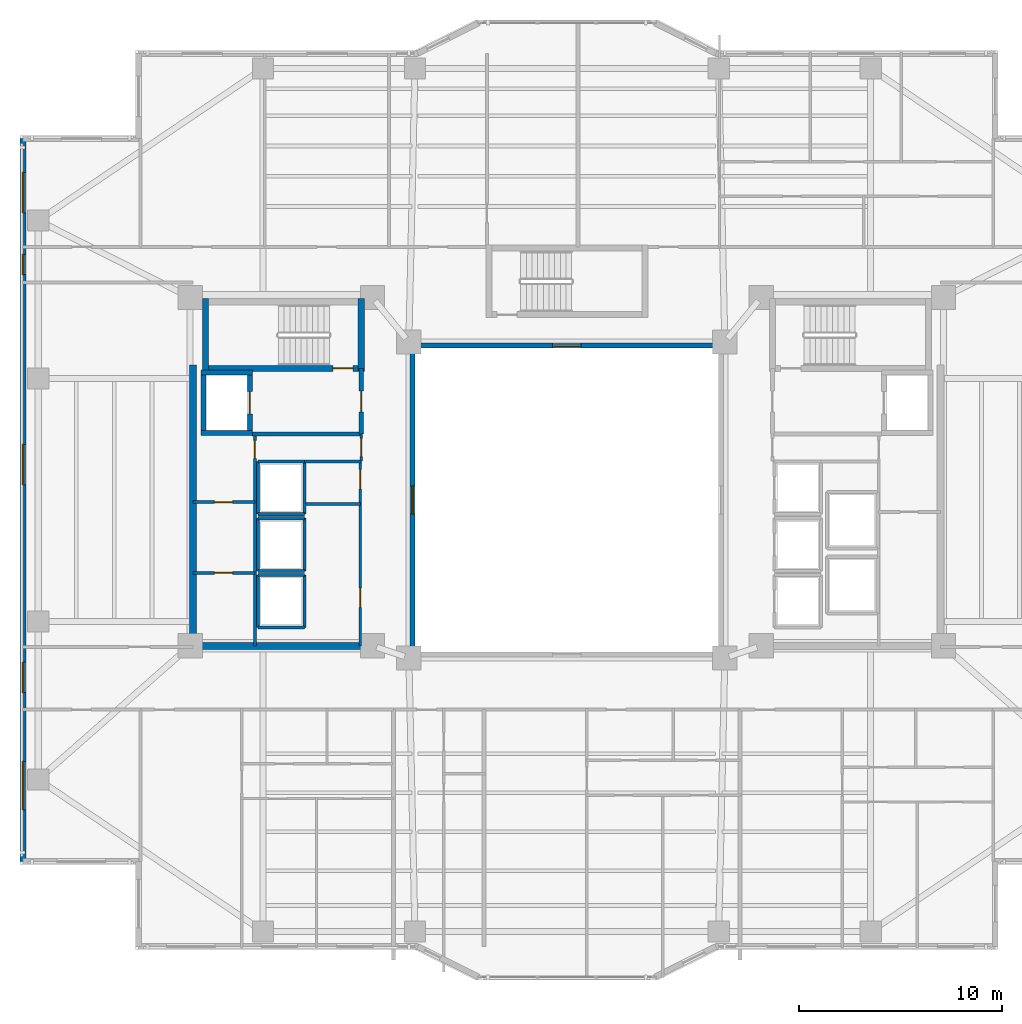
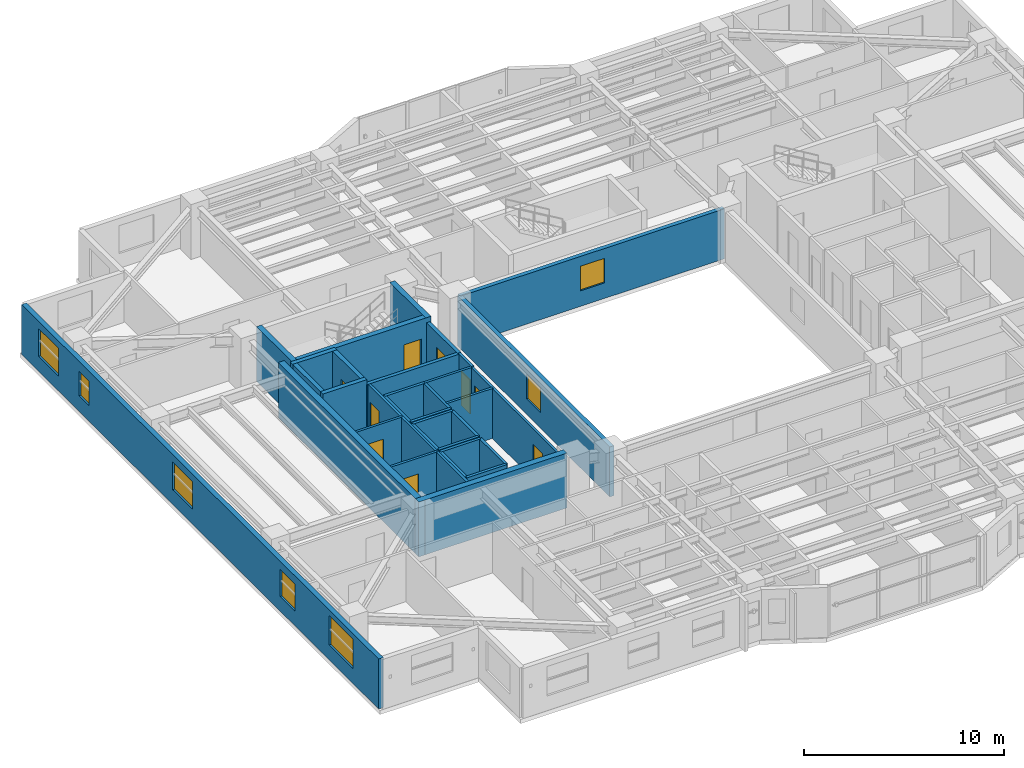
# One storey, part 7 of 18: 33 walls, 9 doors, 7 windows, 16 openings.
"""IFC4 building model written with IfcOpenShell, lengths in metres."""

from ifc_helpers import new_model, si_unit, direction, frame, frame_2d, origin, place, context, subcontext, project, spatial, rectangle, extrude, material, layer, layer_set, type_object, element, fill, save


model = new_model("IFC4")

# Units and contexts
model_context = context("Model", 3, precision=1e-05, world=origin(), true_north=direction((0.0, 1.0)))
body_context = subcontext(model_context, "Body", "Model", "MODEL_VIEW")
ifc_project = project(units=[si_unit("LENGTHUNIT", "METRE"), si_unit("AREAUNIT", "SQUARE_METRE"), si_unit("VOLUMEUNIT", "CUBIC_METRE"), si_unit("PLANEANGLEUNIT", "RADIAN"), si_unit("MASSUNIT", "GRAM", prefix="KILO")], contexts=[model_context])

# Site, building, storey
site_placement = place(None, origin())
site = spatial("IfcSite", under=ifc_project, at=site_placement, CompositionType="ELEMENT")
building_placement = place(site_placement, origin())
building = spatial("IfcBuilding", under=site, at=building_placement, Name="Tarnavaz Court Tower", CompositionType="ELEMENT")
storey_placement = place(building_placement, frame((0.0, 0.0, 115.14990234375)))
storey = spatial("IfcBuildingStorey", under=building, at=storey_placement, Name="L31", CompositionType="ELEMENT", Elevation=115.14990234375)

# Wall
ifc_material_1 = material(Name="Concrete C60/75", Category="concrete")
ifc_layer_1 = layer(ifc_material_1, 0.25)
ifc_layer_set_1 = layer_set([ifc_layer_1], Name="Concrete C60/75")
wall_type_1 = type_object("IfcWallType", Name="WL-CORE-250-C60", PredefinedType="SHEAR", material=ifc_layer_set_1)
wall_1_placement = place(storey_placement, frame((-17.949951171875, 3.175048828125, 0.0), z_axis=(0.0, 0.0, 1.0), x_axis=(0.0, 1.0, 0.0)))
element("IfcWall", 1, at=wall_1_placement, inside=storey, type_object=wall_type_1, Name="L31 Lift FL-W1 Shaft Wall 017", PredefinedType="SHEAR", context=body_context, shape_type="SweptSolid", body=[
    extrude(rectangle(XDim=3.25, YDim=0.25, at=frame_2d((1.625, 0.0))), origin(), (0.0, 0.0, 1.0), 3.35009765625),
])

# Wall, opening, door
wall_2_placement = place(storey_placement, frame((-15.64990234375, 3.175048828125, 0.0), z_axis=(0.0, 0.0, 1.0), x_axis=(0.0, 1.0, 0.0)))
wall_2 = element("IfcWall", 2, at=wall_2_placement, inside=storey, type_object=wall_type_1, Name="L31 Lift FL-W1 Shaft Wall 018", PredefinedType="SHEAR", context=body_context, shape_type="SweptSolid", body=[
    extrude(rectangle(XDim=3.25, YDim=0.25, at=frame_2d((1.625, 0.0))), origin(), (0.0, 0.0, 1.0), 3.35009765625),
])
opening_1_placement = place(wall_2_placement, frame((1.074951171875, 0.0, 0.0)))
opening_1 = element("IfcOpeningElement", 3, at=opening_1_placement, cuts=wall_2, Name="Opening LD1", PredefinedType="OPENING", context=body_context, shape_type="SweptSolid", body=[
    extrude(rectangle(XDim=1.10009765625, YDim=2.14990234375, at=frame_2d((0.550048828125, 1.074951171875))), frame((0.0, 0.135009765625, 0.0), z_axis=(0.0, -1.0, 0.0), x_axis=(1.0, 0.0, 0.0)), (0.0, 0.0, 1.0), 0.27001953125),
])
ifc_material_2 = material(Name="Stainless Steel", Category="steel")
door_type_1 = type_object("IfcDoorType", Name="DR-LD-1100", OperationType="NOTDEFINED", PredefinedType="DOOR", material=ifc_material_2)
door_1_placement = place(opening_1_placement, origin())
door_1 = element("IfcDoor", 4, at=door_1_placement, inside=storey, type_object=door_type_1, Name="L31 Lift Landing Door LD-FL-W1", OperationType="SLIDING_TO_LEFT", OverallHeight=2.14990234375, OverallWidth=1.10009765625, PredefinedType="DOOR", context=body_context, shape_type="SweptSolid", body=[
    extrude(rectangle(XDim=1.10009765625, YDim=2.14990234375, at=frame_2d((0.550048828125, 1.074951171875))), frame((0.0, 0.02490234375, 0.0), z_axis=(0.0, -1.0, 0.0), x_axis=(1.0, 0.0, 0.0)), (0.0, 0.0, 1.0), 0.050048828125),
])
fill(opening_1, door_1)

# Walls
for number, where, z_axis, x_axis, name in (
    (5, (-18.074951171875, 3.300048828125, 0.0), (0.0, 0.0, 1.0), (1.0, 0.0, 0.0), "L31 Lift FL-W1 Shaft Wall 019"),
    (6, (-18.074951171875, 6.300048828125, 0.0), (0.0, 0.0, 1.0), (1.0, 0.0, 0.0), "L31 Lift FL-W1 Shaft Wall 020"),
):
    element("IfcWall", number, at=place(storey_placement, frame(where, z_axis=z_axis, x_axis=x_axis)), inside=storey, type_object=wall_type_1, Name=name, PredefinedType="SHEAR", context=body_context, shape_type="SweptSolid", body=[
        extrude(rectangle(XDim=2.550048828125, YDim=0.25, at=frame_2d((1.27490234375, 0.0))), origin(), (0.0, 0.0, 1.0), 3.35009765625),
    ])

# Wall, opening, door
ifc_layer_2 = layer(ifc_material_1, 0.300048828125)
ifc_layer_set_2 = layer_set([ifc_layer_2], Name="Concrete C60/75")
wall_type_2 = type_object("IfcWallType", Name="WL-CORE-300-C60", PredefinedType="SHEAR", material=ifc_layer_set_2)
wall_3_placement = place(storey_placement, frame((-18.0, 6.5, 0.0), z_axis=(0.0, 0.0, 1.0), x_axis=(1.0, 0.0, 0.0)))
wall_3 = element("IfcWall", 7, at=wall_3_placement, inside=storey, type_object=wall_type_2, Name="L31 West Stair Core Wall 002", PredefinedType="SHEAR", context=body_context, shape_type="SweptSolid", body=[
    extrude(rectangle(XDim=8.0, YDim=0.300048828125, at=frame_2d((4.0, 0.0))), origin(), (0.0, 0.0, 1.0), 3.35009765625),
])
opening_2_placement = place(wall_3_placement, frame((6.449951171875, 0.0, 0.0)))
opening_2 = element("IfcOpeningElement", 8, at=opening_2_placement, cuts=wall_3, Name="Opening D01", PredefinedType="OPENING", context=body_context, shape_type="SweptSolid", body=[
    extrude(rectangle(XDim=1.0, YDim=2.14990234375, at=frame_2d((0.5, 1.074951171875))), frame((0.0, 0.159912109375, 0.0), z_axis=(0.0, -1.0, 0.0), x_axis=(1.0, 0.0, 0.0)), (0.0, 0.0, 1.0), 0.320068359375),
])
ifc_material_3 = material(Name="Fire-Rated Hardwood Timber Core", Category="wood")
door_type_2 = type_object("IfcDoorType", Name="DR-FD90-1000", OperationType="NOTDEFINED", PredefinedType="DOOR", material=ifc_material_3)
door_2_placement = place(opening_2_placement, origin())
door_2 = element("IfcDoor", 9, at=door_2_placement, inside=storey, type_object=door_type_2, Name="L31 Stair ST-W1 Exit Door", OperationType="SINGLE_SWING_LEFT", OverallHeight=2.14990234375, OverallWidth=1.0, PredefinedType="DOOR", context=body_context, shape_type="SweptSolid", body=[
    extrude(rectangle(XDim=1.0, YDim=2.14990234375, at=frame_2d((0.5, 1.074951171875))), frame((0.0, 0.02490234375, 0.0), z_axis=(0.0, -1.0, 0.0), x_axis=(1.0, 0.0, 0.0)), (0.0, 0.0, 1.0), 0.050048828125),
])
fill(opening_2, door_2)

# Walls
for number, where, z_axis, x_axis, name in (
    (10, (-17.85009765625, 6.35009765625, 0.0), (0.0, 0.0, 1.0), (0.0, 1.0, 0.0), "L31 West Stair Core Wall 003"),
    (11, (-10.14990234375, 6.35009765625, 0.0), (0.0, 0.0, 1.0), (0.0, 1.0, 0.0), "L31 West Stair Core Wall 004"),
):
    element("IfcWall", number, at=place(storey_placement, frame(where, z_axis=z_axis, x_axis=x_axis)), inside=storey, type_object=wall_type_2, Name=name, PredefinedType="SHEAR", context=body_context, shape_type="SweptSolid", body=[
        extrude(rectangle(XDim=3.58984375, YDim=0.300048828125, at=frame_2d((1.794921875, 0.0))), origin(), (0.0, 0.0, 1.0), 3.35009765625),
    ])
ifc_layer_3 = layer(ifc_material_1, 0.35009765625)
ifc_layer_set_3 = layer_set([ifc_layer_3], Name="Concrete C60/75")
wall_type_3 = type_object("IfcWallType", Name="WL-CORE-350-C60", PredefinedType="SHEAR", material=ifc_layer_set_3)
wall_4_placement = place(storey_placement, frame((-18.449951171875, -7.375, 0.0), z_axis=(0.0, 0.0, 1.0), x_axis=(0.0, 1.0, 0.0)))
element("IfcWall", 12, at=wall_4_placement, inside=storey, type_object=wall_type_3, Name="L31 West Core Shear Wall 057", PredefinedType="SHEAR", context=body_context, shape_type="SweptSolid", body=[
    extrude(rectangle(XDim=14.050048828125, YDim=0.35009765625, at=frame_2d((7.02490234375, 0.0))), origin(), (0.0, 0.0, 1.0), 3.35009765625),
])
wall_5_placement = place(storey_placement, frame((-18.625, -7.199951171875, 0.0), z_axis=(0.0, 0.0, 1.0), x_axis=(1.0, 0.0, 0.0)))
element("IfcWall", 13, at=wall_5_placement, inside=storey, type_object=wall_type_3, Name="L31 West Core South Shear Wall 058", PredefinedType="SHEAR", context=body_context, shape_type="SweptSolid", body=[
    extrude(rectangle(XDim=8.550048828125, YDim=0.35009765625, at=frame_2d((4.27490234375, 0.0))), origin(), (0.0, 0.0, 1.0), 3.35009765625),
])

# Wall, openings, windows
ifc_material_4 = material(Name="Precast Concrete C40/50", Category="concrete")
ifc_layer_4 = layer(ifc_material_4, 0.280029296875)
ifc_layer_set_4 = layer_set([ifc_layer_4], Name="Precast Concrete C40/50")
wall_type_4 = type_object("IfcWallType", Name="WL-EXT-280", PredefinedType="SOLIDWALL", material=ifc_layer_set_4)
wall_6_placement = place(storey_placement, frame((-26.85009765625, -17.85009765625, 0.0), z_axis=(0.0, 0.0, 1.0), x_axis=(0.0, 1.0, 0.0)))
wall_6 = element("IfcWall", 14, at=wall_6_placement, inside=storey, type_object=wall_type_4, Name="L31 Exterior Terracotta Facade Wall 02", PredefinedType="SOLIDWALL", context=body_context, shape_type="SweptSolid", body=[
    extrude(rectangle(XDim=35.7001953125, YDim=0.280029296875, at=frame_2d((17.85009765625, 0.0))), origin(), (0.0, 0.0, 1.0), 3.050048828125),
])
opening_3_placement = place(wall_6_placement, frame((2.550048828125, 0.0, 0.89990234375)))
opening_3 = element("IfcOpeningElement", 15, at=opening_3_placement, cuts=wall_6, Name="Opening W06", PredefinedType="OPENING", context=body_context, shape_type="SweptSolid", body=[
    extrude(rectangle(XDim=2.39990234375, YDim=1.800048828125, at=frame_2d((1.199951171875, 0.89990234375))), frame((0.0, 0.14990234375, 0.0), z_axis=(0.0, -1.0, 0.0), x_axis=(1.0, 0.0, 0.0)), (0.0, 0.0, 1.0), 0.300048828125),
])
opening_4_placement = place(wall_6_placement, frame((8.342529296875, 0.0, 0.89990234375)))
opening_4 = element("IfcOpeningElement", 16, at=opening_4_placement, cuts=wall_6, Name="Opening W03", PredefinedType="OPENING", context=body_context, shape_type="SweptSolid", body=[
    extrude(rectangle(XDim=1.5, YDim=1.64990234375, at=frame_2d((0.75, 0.824951171875))), frame((0.0, 0.14990234375, 0.0), z_axis=(0.0, -1.0, 0.0), x_axis=(1.0, 0.0, 0.0)), (0.0, 0.0, 1.0), 0.300048828125),
])
opening_5_placement = place(wall_6_placement, frame((18.60009765625, 0.0, 0.89990234375)))
opening_5 = element("IfcOpeningElement", 17, at=opening_5_placement, cuts=wall_6, Name="Opening W08", PredefinedType="OPENING", context=body_context, shape_type="SweptSolid", body=[
    extrude(rectangle(XDim=2.0, YDim=1.699951171875, at=frame_2d((1.0, 0.85009765625))), frame((0.0, 0.14990234375, 0.0), z_axis=(0.0, -1.0, 0.0), x_axis=(1.0, 0.0, 0.0)), (0.0, 0.0, 1.0), 0.300048828125),
])
opening_6_placement = place(wall_6_placement, frame((28.97509765625, 0.0, 0.949951171875)))
opening_6 = element("IfcOpeningElement", 18, at=opening_6_placement, cuts=wall_6, Name="Opening W14", PredefinedType="OPENING", context=body_context, shape_type="SweptSolid", body=[
    extrude(rectangle(XDim=1.0, YDim=1.5, at=frame_2d((0.5, 0.75))), frame((0.0, 0.14990234375, 0.0), z_axis=(0.0, -1.0, 0.0), x_axis=(1.0, 0.0, 0.0)), (0.0, 0.0, 1.0), 0.300048828125),
])
opening_7_placement = place(wall_6_placement, frame((32.02490234375, 0.0, 0.89990234375)))
opening_7 = element("IfcOpeningElement", 19, at=opening_7_placement, cuts=wall_6, Name="Opening W08", PredefinedType="OPENING", context=body_context, shape_type="SweptSolid", body=[
    extrude(rectangle(XDim=2.0, YDim=1.699951171875, at=frame_2d((1.0, 0.85009765625))), frame((0.0, 0.14990234375, 0.0), z_axis=(0.0, -1.0, 0.0), x_axis=(1.0, 0.0, 0.0)), (0.0, 0.0, 1.0), 0.300048828125),
])
ifc_material_5 = material(Name="Double-Glazed Solar Low-E Glass", Category="glass")
window_type_1 = type_object("IfcWindowType", Name="WN-APT-1000", PartitioningType="SINGLE_PANEL", PredefinedType="WINDOW", material=ifc_material_5)
window_1_placement = place(opening_6_placement, origin())
window_1 = element("IfcWindow", 20, at=window_1_placement, inside=storey, type_object=window_type_1, Name="L31 North-West Corner Corridor Window", OverallHeight=1.5, OverallWidth=1.0, PartitioningType="SINGLE_PANEL", PredefinedType="WINDOW", context=body_context, shape_type="SweptSolid", body=[
    extrude(rectangle(XDim=1.0, YDim=1.5, at=frame_2d((0.5, 0.75))), frame((0.0, 0.030029296875, 0.0), z_axis=(0.0, -1.0, 0.0), x_axis=(1.0, 0.0, 0.0)), (0.0, 0.0, 1.0), 0.06005859375),
])
fill(opening_6, window_1)
window_type_2 = type_object("IfcWindowType", Name="WN-APT-1500", PartitioningType="DOUBLE_PANEL_VERTICAL", PredefinedType="WINDOW", material=ifc_material_5)
window_2_placement = place(opening_4_placement, origin())
window_2 = element("IfcWindow", 21, at=window_2_placement, inside=storey, type_object=window_type_2, Name="L31 South-West Corner Corridor Window", OverallHeight=1.64990234375, OverallWidth=1.5, PartitioningType="SINGLE_PANEL", PredefinedType="WINDOW", context=body_context, shape_type="SweptSolid", body=[
    extrude(rectangle(XDim=1.5, YDim=1.64990234375, at=frame_2d((0.75, 0.824951171875))), frame((0.0, 0.030029296875, 0.0), z_axis=(0.0, -1.0, 0.0), x_axis=(1.0, 0.0, 0.0)), (0.0, 0.0, 1.0), 0.06005859375),
])
fill(opening_4, window_2)
window_type_3 = type_object("IfcWindowType", Name="WN-APT-2000", PartitioningType="DOUBLE_PANEL_VERTICAL", PredefinedType="WINDOW", material=ifc_material_5)
window_3_placement = place(opening_5_placement, origin())
window_3 = element("IfcWindow", 22, at=window_3_placement, inside=storey, type_object=window_type_3, Name="L31 West Wing Panoramic Study Gallery Window", OverallHeight=1.699951171875, OverallWidth=2.0, PartitioningType="SINGLE_PANEL", PredefinedType="WINDOW", context=body_context, shape_type="SweptSolid", body=[
    extrude(rectangle(XDim=2.0, YDim=1.699951171875, at=frame_2d((1.0, 0.85009765625))), frame((0.0, 0.030029296875, 0.0), z_axis=(0.0, -1.0, 0.0), x_axis=(1.0, 0.0, 0.0)), (0.0, 0.0, 1.0), 0.06005859375),
])
fill(opening_5, window_3)
window_4_placement = place(opening_7_placement, origin())
window_4 = element("IfcWindow", 23, at=window_4_placement, inside=storey, type_object=window_type_3, Name="L31 North-West Corner Sunroom Study Window", OverallHeight=1.699951171875, OverallWidth=2.0, PartitioningType="SINGLE_PANEL", PredefinedType="WINDOW", context=body_context, shape_type="SweptSolid", body=[
    extrude(rectangle(XDim=2.0, YDim=1.699951171875, at=frame_2d((1.0, 0.85009765625))), frame((0.0, 0.030029296875, 0.0), z_axis=(0.0, -1.0, 0.0), x_axis=(1.0, 0.0, 0.0)), (0.0, 0.0, 1.0), 0.06005859375),
])
fill(opening_7, window_4)
window_type_4 = type_object("IfcWindowType", Name="WN-APT-2400", PartitioningType="TRIPLE_PANEL_VERTICAL", PredefinedType="WINDOW", material=ifc_material_5)
window_5_placement = place(opening_3_placement, origin())
window_5 = element("IfcWindow", 24, at=window_5_placement, inside=storey, type_object=window_type_4, Name="L31 South-West Corner Reading Room Window", OverallHeight=1.800048828125, OverallWidth=2.39990234375, PartitioningType="SINGLE_PANEL", PredefinedType="WINDOW", context=body_context, shape_type="SweptSolid", body=[
    extrude(rectangle(XDim=2.39990234375, YDim=1.800048828125, at=frame_2d((1.199951171875, 0.89990234375))), frame((0.0, 0.030029296875, 0.0), z_axis=(0.0, -1.0, 0.0), x_axis=(1.0, 0.0, 0.0)), (0.0, 0.0, 1.0), 0.06005859375),
])
fill(opening_3, window_5)

# Wall
ifc_material_6 = material(Name="Autoclaved Aerated Concrete Blockwork", Category="masonry")
ifc_layer_5 = layer(ifc_material_6, 0.199951171875)
ifc_layer_set_5 = layer_set([ifc_layer_5], Name="Autoclaved Aerated Concrete Blockwork")
wall_type_5 = type_object("IfcWallType", Name="WL-FIRE-200", PredefinedType="SOLIDWALL", material=ifc_layer_set_5)
wall_7_placement = place(storey_placement, frame((-15.550048828125, 3.25, 0.0), z_axis=(0.0, 0.0, 1.0), x_axis=(1.0, 0.0, 0.0)))
element("IfcWall", 25, at=wall_7_placement, inside=storey, type_object=wall_type_5, Name="L31 West Firefighting Lobby Wall 013", PredefinedType="SOLIDWALL", context=body_context, shape_type="SweptSolid", body=[
    extrude(rectangle(XDim=5.400146484375, YDim=0.199951171875, at=frame_2d((2.7001953125, 0.0))), origin(), (0.0, 0.0, 1.0), 3.050048828125),
])

# Wall, opening, door
wall_8_placement = place(storey_placement, frame((-10.14990234375, 3.25, 0.0), z_axis=(0.0, 0.0, 1.0), x_axis=(0.0, 1.0, 0.0)))
wall_8 = element("IfcWall", 26, at=wall_8_placement, inside=storey, type_object=wall_type_5, Name="L31 West Firefighting Lobby Wall 014", PredefinedType="SOLIDWALL", context=body_context, shape_type="SweptSolid", body=[
    extrude(rectangle(XDim=3.25, YDim=0.199951171875, at=frame_2d((1.625, 0.0))), origin(), (0.0, 0.0, 1.0), 3.050048828125),
])
opening_8_placement = place(wall_8_placement, frame((1.10009765625, 0.0, 0.0)))
opening_8 = element("IfcOpeningElement", 27, at=opening_8_placement, cuts=wall_8, Name="Opening D05", PredefinedType="OPENING", context=body_context, shape_type="SweptSolid", body=[
    extrude(rectangle(XDim=1.02001953125, YDim=2.14990234375, at=frame_2d((0.510009765625, 1.074951171875))), frame((0.0, 0.10986328125, 0.0), z_axis=(0.0, -1.0, 0.0), x_axis=(1.0, 0.0, 0.0)), (0.0, 0.0, 1.0), 0.219970703125),
])
door_type_3 = type_object("IfcDoorType", Name="DR-FD60-1000", OperationType="NOTDEFINED", PredefinedType="DOOR", material=ifc_material_3)
door_3_placement = place(opening_8_placement, origin())
door_3 = element("IfcDoor", 28, at=door_3_placement, inside=storey, type_object=door_type_3, Name="L31 West Firefighting Lobby Door", OperationType="SINGLE_SWING_RIGHT", OverallHeight=2.14990234375, OverallWidth=1.02001953125, PredefinedType="DOOR", context=body_context, shape_type="SweptSolid", body=[
    extrude(rectangle(XDim=1.02001953125, YDim=2.14990234375, at=frame_2d((0.510009765625, 1.074951171875))), frame((0.0, 0.02490234375, 0.0), z_axis=(0.0, -1.0, 0.0), x_axis=(1.0, 0.0, 0.0)), (0.0, 0.0, 1.0), 0.050048828125),
])
fill(opening_8, door_3)

# Wall
ifc_material_7 = material(Name="Gypsum Plasterboard Acoustic Partition", Category="masonry")
ifc_layer_6 = layer(ifc_material_7, 0.139892578125)
ifc_layer_set_6 = layer_set([ifc_layer_6], Name="Gypsum Plasterboard Acoustic Partition")
wall_type_6 = type_object("IfcWallType", Name="WL-PART-150", PredefinedType="PARTITIONING", material=ifc_layer_set_6)
wall_9_placement = place(storey_placement, frame((-12.949951171875, 1.89990234375, 0.0), z_axis=(0.0, 0.0, 1.0), x_axis=(1.0, 0.0, 0.0)))
element("IfcWall", 29, at=wall_9_placement, inside=storey, type_object=wall_type_6, Name="L31 Interior Partition 061", PredefinedType="PARTITIONING", context=body_context, shape_type="SweptSolid", body=[
    extrude(rectangle(XDim=2.800048828125, YDim=0.139892578125, at=frame_2d((1.39990234375, 0.0))), origin(), (0.0, 0.0, 1.0), 3.050048828125),
])

# Wall, opening, door
wall_10_placement = place(storey_placement, frame((-10.14990234375, 1.919921875, 0.0), z_axis=(0.0, 0.0, 1.0), x_axis=(0.0, 1.0, 0.0)))
wall_10 = element("IfcWall", 30, at=wall_10_placement, inside=storey, type_object=wall_type_6, Name="L31 Interior Partition 062", PredefinedType="PARTITIONING", context=body_context, shape_type="SweptSolid", body=[
    extrude(rectangle(XDim=1.330078125, YDim=0.139892578125, at=frame_2d((0.6650390625, 0.0))), origin(), (0.0, 0.0, 1.0), 3.050048828125),
])
opening_9_placement = place(wall_10_placement, frame((0.219970703125, 0.0, 0.0)))
opening_9 = element("IfcOpeningElement", 31, at=opening_9_placement, cuts=wall_10, Name="Opening D09", PredefinedType="OPENING", context=body_context, shape_type="SweptSolid", body=[
    extrude(rectangle(XDim=0.89990234375, YDim=2.080078125, at=frame_2d((0.449951171875, 1.0400390625))), frame((0.0, 0.079833984375, 0.0), z_axis=(0.0, -1.0, 0.0), x_axis=(1.0, 0.0, 0.0)), (0.0, 0.0, 1.0), 0.159912109375),
])
door_type_4 = type_object("IfcDoorType", Name="DR-FD30-900", OperationType="NOTDEFINED", PredefinedType="DOOR", material=ifc_material_3)
door_4_placement = place(opening_9_placement, origin())
door_4 = element("IfcDoor", 32, at=door_4_placement, inside=storey, type_object=door_type_4, Name="L31 West Core Service Lobby Door", OperationType="SINGLE_SWING_LEFT", OverallHeight=2.080078125, OverallWidth=0.89990234375, PredefinedType="DOOR", context=body_context, shape_type="SweptSolid", body=[
    extrude(rectangle(XDim=0.89990234375, YDim=2.080078125, at=frame_2d((0.449951171875, 1.0400390625))), frame((0.0, 0.02490234375, 0.0), z_axis=(0.0, -1.0, 0.0), x_axis=(1.0, 0.0, 0.0)), (0.0, 0.0, 1.0), 0.050048828125),
])
fill(opening_9, door_4)

wall_11_placement = place(storey_placement, frame((-15.39990234375, -7.199951171875, 0.0), z_axis=(0.0, 0.0, 1.0), x_axis=(0.0, 1.0, 0.0)))
wall_11 = element("IfcWall", 33, at=wall_11_placement, inside=storey, type_object=wall_type_6, Name="L31 Interior Partition 063", PredefinedType="PARTITIONING", context=body_context, shape_type="SweptSolid", body=[
    extrude(rectangle(XDim=10.449951171875, YDim=0.139892578125, at=frame_2d((5.22509765625, 0.0))), origin(), (0.0, 0.0, 1.0), 3.050048828125),
])
opening_10_placement = place(wall_11_placement, frame((9.25, 0.0, 0.0)))
opening_10 = element("IfcOpeningElement", 34, at=opening_10_placement, cuts=wall_11, Name="Opening D09", PredefinedType="OPENING", context=body_context, shape_type="SweptSolid", body=[
    extrude(rectangle(XDim=0.89990234375, YDim=2.080078125, at=frame_2d((0.449951171875, 1.0400390625))), frame((0.0, 0.079833984375, 0.0), z_axis=(0.0, -1.0, 0.0), x_axis=(1.0, 0.0, 0.0)), (0.0, 0.0, 1.0), 0.159912109375),
])
door_5_placement = place(opening_10_placement, origin())
door_5 = element("IfcDoor", 35, at=door_5_placement, inside=storey, type_object=door_type_4, Name="L31 West ICT Comms Door", OperationType="SINGLE_SWING_RIGHT", OverallHeight=2.080078125, OverallWidth=0.89990234375, PredefinedType="DOOR", context=body_context, shape_type="SweptSolid", body=[
    extrude(rectangle(XDim=0.89990234375, YDim=2.080078125, at=frame_2d((0.449951171875, 1.0400390625))), frame((0.0, 0.02490234375, 0.0), z_axis=(0.0, -1.0, 0.0), x_axis=(1.0, 0.0, 0.0)), (0.0, 0.0, 1.0), 0.050048828125),
])
fill(opening_10, door_5)

wall_12_placement = place(storey_placement, frame((-18.449951171875, -3.60009765625, 0.0), z_axis=(0.0, 0.0, 1.0), x_axis=(1.0, 0.0, 0.0)))
wall_12 = element("IfcWall", 36, at=wall_12_placement, inside=storey, type_object=wall_type_6, Name="L31 Interior Partition 064", PredefinedType="PARTITIONING", context=body_context, shape_type="SweptSolid", body=[
    extrude(rectangle(XDim=3.050048828125, YDim=0.139892578125, at=frame_2d((1.52490234375, 0.0))), origin(), (0.0, 0.0, 1.0), 3.050048828125),
])
opening_11_placement = place(wall_12_placement, frame((1.050048828125, 0.0, 0.0)))
opening_11 = element("IfcOpeningElement", 37, at=opening_11_placement, cuts=wall_12, Name="Opening D09", PredefinedType="OPENING", context=body_context, shape_type="SweptSolid", body=[
    extrude(rectangle(XDim=0.89990234375, YDim=2.080078125, at=frame_2d((0.449951171875, 1.0400390625))), frame((0.0, 0.079833984375, 0.0), z_axis=(0.0, -1.0, 0.0), x_axis=(1.0, 0.0, 0.0)), (0.0, 0.0, 1.0), 0.159912109375),
])
door_6_placement = place(opening_11_placement, origin())
door_6 = element("IfcDoor", 38, at=door_6_placement, inside=storey, type_object=door_type_4, Name="L31 West Electrical Closet Door", OperationType="SINGLE_SWING_RIGHT", OverallHeight=2.080078125, OverallWidth=0.89990234375, PredefinedType="DOOR", context=body_context, shape_type="SweptSolid", body=[
    extrude(rectangle(XDim=0.89990234375, YDim=2.080078125, at=frame_2d((0.449951171875, 1.0400390625))), frame((0.0, 0.02490234375, 0.0), z_axis=(0.0, -1.0, 0.0), x_axis=(1.0, 0.0, 0.0)), (0.0, 0.0, 1.0), 0.050048828125),
])
fill(opening_11, door_6)

wall_13_placement = place(storey_placement, frame((-18.449951171875, -0.10009765625, 0.0), z_axis=(0.0, 0.0, 1.0), x_axis=(1.0, 0.0, 0.0)))
wall_13 = element("IfcWall", 39, at=wall_13_placement, inside=storey, type_object=wall_type_6, Name="L31 Interior Partition 065", PredefinedType="PARTITIONING", context=body_context, shape_type="SweptSolid", body=[
    extrude(rectangle(XDim=3.050048828125, YDim=0.139892578125, at=frame_2d((1.52490234375, 0.0))), origin(), (0.0, 0.0, 1.0), 3.050048828125),
])
opening_12_placement = place(wall_13_placement, frame((1.050048828125, 0.0, 0.0)))
opening_12 = element("IfcOpeningElement", 40, at=opening_12_placement, cuts=wall_13, Name="Opening D09", PredefinedType="OPENING", context=body_context, shape_type="SweptSolid", body=[
    extrude(rectangle(XDim=0.89990234375, YDim=2.080078125, at=frame_2d((0.449951171875, 1.0400390625))), frame((0.0, 0.079833984375, 0.0), z_axis=(0.0, -1.0, 0.0), x_axis=(1.0, 0.0, 0.0)), (0.0, 0.0, 1.0), 0.159912109375),
])
door_7_placement = place(opening_12_placement, origin())
door_7 = element("IfcDoor", 41, at=door_7_placement, inside=storey, type_object=door_type_4, Name="L31 West Chilled-Water Riser Door", OperationType="SINGLE_SWING_LEFT", OverallHeight=2.080078125, OverallWidth=0.89990234375, PredefinedType="DOOR", context=body_context, shape_type="SweptSolid", body=[
    extrude(rectangle(XDim=0.89990234375, YDim=2.080078125, at=frame_2d((0.449951171875, 1.0400390625))), frame((0.0, 0.02490234375, 0.0), z_axis=(0.0, -1.0, 0.0), x_axis=(1.0, 0.0, 0.0)), (0.0, 0.0, 1.0), 0.050048828125),
])
fill(opening_12, door_7)

# Wall, openings, doors
wall_14_placement = place(storey_placement, frame((-10.199951171875, -7.199951171875, 0.0), z_axis=(0.0, 0.0, 1.0), x_axis=(0.0, 1.0, 0.0)))
wall_14 = element("IfcWall", 42, at=wall_14_placement, inside=storey, type_object=wall_type_6, Name="L31 West Reclaimed Core Wall 066", PredefinedType="PARTITIONING", context=body_context, shape_type="SweptSolid", body=[
    extrude(rectangle(XDim=9.119873046875, YDim=0.139892578125, at=frame_2d((4.56005859375, 0.0))), origin(), (0.0, 0.0, 1.0), 3.050048828125),
])
opening_13_placement = place(wall_14_placement, frame((1.89990234375, 0.0, 0.0)))
opening_13 = element("IfcOpeningElement", 43, at=opening_13_placement, cuts=wall_14, Name="Opening D08", PredefinedType="OPENING", context=body_context, shape_type="SweptSolid", body=[
    extrude(rectangle(XDim=0.949951171875, YDim=2.1201171875, at=frame_2d((0.47509765625, 1.06005859375))), frame((0.0, 0.079833984375, 0.0), z_axis=(0.0, -1.0, 0.0), x_axis=(1.0, 0.0, 0.0)), (0.0, 0.0, 1.0), 0.159912109375),
])
opening_14_placement = place(wall_14_placement, frame((7.75, 0.0, 0.0)))
opening_14 = element("IfcOpeningElement", 44, at=opening_14_placement, cuts=wall_14, Name="Opening D08", PredefinedType="OPENING", context=body_context, shape_type="SweptSolid", body=[
    extrude(rectangle(XDim=0.949951171875, YDim=2.1201171875, at=frame_2d((0.47509765625, 1.06005859375))), frame((0.0, 0.079833984375, 0.0), z_axis=(0.0, -1.0, 0.0), x_axis=(1.0, 0.0, 0.0)), (0.0, 0.0, 1.0), 0.159912109375),
])
door_type_5 = type_object("IfcDoorType", Name="DR-FD30-950", OperationType="NOTDEFINED", PredefinedType="DOOR", material=ifc_material_3)
door_8_placement = place(opening_13_placement, origin())
door_8 = element("IfcDoor", 45, at=door_8_placement, inside=storey, type_object=door_type_5, Name="L31 West Study Room Door", OperationType="SINGLE_SWING_LEFT", OverallHeight=2.1201171875, OverallWidth=0.949951171875, PredefinedType="DOOR", context=body_context, shape_type="SweptSolid", body=[
    extrude(rectangle(XDim=0.949951171875, YDim=2.1201171875, at=frame_2d((0.47509765625, 1.06005859375))), frame((0.0, 0.02490234375, 0.0), z_axis=(0.0, -1.0, 0.0), x_axis=(1.0, 0.0, 0.0)), (0.0, 0.0, 1.0), 0.050048828125),
])
fill(opening_13, door_8)
door_9_placement = place(opening_14_placement, origin())
door_9 = element("IfcDoor", 46, at=door_9_placement, inside=storey, type_object=door_type_5, Name="L31 West Laundry Room Door", OperationType="SINGLE_SWING_RIGHT", OverallHeight=2.1201171875, OverallWidth=0.949951171875, PredefinedType="DOOR", context=body_context, shape_type="SweptSolid", body=[
    extrude(rectangle(XDim=0.949951171875, YDim=2.1201171875, at=frame_2d((0.47509765625, 1.06005859375))), frame((0.0, 0.02490234375, 0.0), z_axis=(0.0, -1.0, 0.0), x_axis=(1.0, 0.0, 0.0)), (0.0, 0.0, 1.0), 0.050048828125),
])
fill(opening_14, door_9)

# Walls
wall_15_placement = place(storey_placement, frame((-12.89990234375, -0.199951171875, 0.0), z_axis=(0.0, 0.0, 1.0), x_axis=(1.0, 0.0, 0.0)))
element("IfcWall", 47, at=wall_15_placement, inside=storey, type_object=wall_type_6, Name="L31 Interior Partition 067", PredefinedType="PARTITIONING", context=body_context, shape_type="SweptSolid", body=[
    extrude(rectangle(XDim=2.699951171875, YDim=0.139892578125, at=frame_2d((1.35009765625, 0.0))), origin(), (0.0, 0.0, 1.0), 3.050048828125),
])
ifc_layer_7 = layer(ifc_material_6, 0.159912109375)
ifc_layer_set_7 = layer_set([ifc_layer_7], Name="Autoclaved Aerated Concrete Blockwork")
wall_type_7 = type_object("IfcWallType", Name="WL-SHAFT-150", PredefinedType="SOLIDWALL", material=ifc_layer_set_7)
for number, where, z_axis, x_axis, name in (
    (48, (-15.25, -6.300048828125, 0.0), (0.0, 0.0, 1.0), (0.0, 1.0, 0.0), "L31 Lift PL-H1 Shaft Wall 021"),
    (49, (-12.949951171875, -6.300048828125, 0.0), (0.0, 0.0, 1.0), (0.0, 1.0, 0.0), "L31 Lift PL-H1 Shaft Wall 022"),
):
    element("IfcWall", number, at=place(storey_placement, frame(where, z_axis=z_axis, x_axis=x_axis)), inside=storey, type_object=wall_type_7, Name=name, PredefinedType="SOLIDWALL", context=body_context, shape_type="SweptSolid", body=[
        extrude(rectangle(XDim=2.60009765625, YDim=0.159912109375, at=frame_2d((1.300048828125, 0.0))), origin(), (0.0, 0.0, 1.0), 3.050048828125),
    ])
for number, where, z_axis, x_axis, name in (
    (50, (-15.25, -6.300048828125, 0.0), (0.0, 0.0, 1.0), (1.0, 0.0, 0.0), "L31 Lift PL-H1 Shaft Wall 023"),
    (51, (-15.25, -3.699951171875, 0.0), (0.0, 0.0, 1.0), (1.0, 0.0, 0.0), "L31 Lift PL-H1 Shaft Wall 024"),
):
    element("IfcWall", number, at=place(storey_placement, frame(where, z_axis=z_axis, x_axis=x_axis)), inside=storey, type_object=wall_type_7, Name=name, PredefinedType="SOLIDWALL", context=body_context, shape_type="SweptSolid", body=[
        extrude(rectangle(XDim=2.300048828125, YDim=0.159912109375, at=frame_2d((1.14990234375, 0.0))), origin(), (0.0, 0.0, 1.0), 3.050048828125),
    ])
for number, where, z_axis, x_axis, name in (
    (52, (-15.25, -3.5, 0.0), (0.0, 0.0, 1.0), (0.0, 1.0, 0.0), "L31 Lift PL-H2 Shaft Wall 025"),
    (53, (-12.949951171875, -3.5, 0.0), (0.0, 0.0, 1.0), (0.0, 1.0, 0.0), "L31 Lift PL-H2 Shaft Wall 026"),
):
    element("IfcWall", number, at=place(storey_placement, frame(where, z_axis=z_axis, x_axis=x_axis)), inside=storey, type_object=wall_type_7, Name=name, PredefinedType="SOLIDWALL", context=body_context, shape_type="SweptSolid", body=[
        extrude(rectangle(XDim=2.60009765625, YDim=0.159912109375, at=frame_2d((1.300048828125, 0.0))), origin(), (0.0, 0.0, 1.0), 3.050048828125),
    ])
for number, where, z_axis, x_axis, name in (
    (54, (-15.25, -3.5, 0.0), (0.0, 0.0, 1.0), (1.0, 0.0, 0.0), "L31 Lift PL-H2 Shaft Wall 027"),
    (55, (-15.25, -0.89990234375, 0.0), (0.0, 0.0, 1.0), (1.0, 0.0, 0.0), "L31 Lift PL-H2 Shaft Wall 028"),
):
    element("IfcWall", number, at=place(storey_placement, frame(where, z_axis=z_axis, x_axis=x_axis)), inside=storey, type_object=wall_type_7, Name=name, PredefinedType="SOLIDWALL", context=body_context, shape_type="SweptSolid", body=[
        extrude(rectangle(XDim=2.300048828125, YDim=0.159912109375, at=frame_2d((1.14990234375, 0.0))), origin(), (0.0, 0.0, 1.0), 3.050048828125),
    ])
for number, where, z_axis, x_axis, name in (
    (56, (-15.25, -0.699951171875, 0.0), (0.0, 0.0, 1.0), (0.0, 1.0, 0.0), "L31 Lift PL-H3 Shaft Wall 029"),
    (57, (-12.949951171875, -0.699951171875, 0.0), (0.0, 0.0, 1.0), (0.0, 1.0, 0.0), "L31 Lift PL-H3 Shaft Wall 030"),
):
    element("IfcWall", number, at=place(storey_placement, frame(where, z_axis=z_axis, x_axis=x_axis)), inside=storey, type_object=wall_type_7, Name=name, PredefinedType="SOLIDWALL", context=body_context, shape_type="SweptSolid", body=[
        extrude(rectangle(XDim=2.599853515625, YDim=0.159912109375, at=frame_2d((1.2998046875, 0.0))), origin(), (0.0, 0.0, 1.0), 3.050048828125),
    ])
for number, where, z_axis, x_axis, name in (
    (58, (-15.25, -0.699951171875, 0.0), (0.0, 0.0, 1.0), (1.0, 0.0, 0.0), "L31 Lift PL-H3 Shaft Wall 031"),
    (59, (-15.25, 1.89990234375, 0.0), (0.0, 0.0, 1.0), (1.0, 0.0, 0.0), "L31 Lift PL-H3 Shaft Wall 032"),
):
    element("IfcWall", number, at=place(storey_placement, frame(where, z_axis=z_axis, x_axis=x_axis)), inside=storey, type_object=wall_type_7, Name=name, PredefinedType="SOLIDWALL", context=body_context, shape_type="SweptSolid", body=[
        extrude(rectangle(XDim=2.300048828125, YDim=0.159912109375, at=frame_2d((1.14990234375, 0.0))), origin(), (0.0, 0.0, 1.0), 3.050048828125),
    ])

# Wall, opening, window
ifc_layer_8 = layer(ifc_material_4, 0.239990234375)
ifc_layer_set_8 = layer_set([ifc_layer_8], Name="Precast Concrete C40/50")
wall_type_8 = type_object("IfcWallType", Name="WL-WELL-240", PredefinedType="SOLIDWALL", material=ifc_layer_set_8)
wall_16_placement = place(storey_placement, frame((7.6201171875, 7.6201171875, 0.0), z_axis=(0.0, 0.0, 1.0), x_axis=(-1.0, 0.0, 0.0)))
wall_16 = element("IfcWall", 60, at=wall_16_placement, inside=storey, type_object=wall_type_8, Name="L31 Badgir Light-Well Exterior Wall N", PredefinedType="SOLIDWALL", context=body_context, shape_type="SweptSolid", body=[
    extrude(rectangle(XDim=15.240234375, YDim=0.239990234375, at=frame_2d((7.6201171875, 0.0))), origin(), (0.0, 0.0, 1.0), 3.050048828125),
])
opening_15_placement = place(wall_16_placement, frame((6.919921875, 0.0, 0.949951171875)))
opening_15 = element("IfcOpeningElement", 61, at=opening_15_placement, cuts=wall_16, Name="Opening W13", PredefinedType="OPENING", context=body_context, shape_type="SweptSolid", body=[
    extrude(rectangle(XDim=1.39990234375, YDim=1.5, at=frame_2d((0.699951171875, 0.75))), frame((0.0, 0.1298828125, 0.0), z_axis=(0.0, -1.0, 0.0), x_axis=(1.0, 0.0, 0.0)), (0.0, 0.0, 1.0), 0.260009765625),
])
window_type_5 = type_object("IfcWindowType", Name="WN-WEL-1400", PartitioningType="SINGLE_PANEL", PredefinedType="WINDOW", material=ifc_material_5)
window_6_placement = place(opening_15_placement, origin())
window_6 = element("IfcWindow", 62, at=window_6_placement, inside=storey, type_object=window_type_5, Name="L31 Courtyard Gallery Window N", OverallHeight=1.5, OverallWidth=1.39990234375, PartitioningType="SINGLE_PANEL", PredefinedType="WINDOW", context=body_context, shape_type="SweptSolid", body=[
    extrude(rectangle(XDim=1.39990234375, YDim=1.5, at=frame_2d((0.699951171875, 0.75))), frame((0.0, 0.030029296875, 0.0), z_axis=(0.0, -1.0, 0.0), x_axis=(1.0, 0.0, 0.0)), (0.0, 0.0, 1.0), 0.06005859375),
])
fill(opening_15, window_6)

wall_17_placement = place(storey_placement, frame((-7.6201171875, 7.6201171875, 0.0), z_axis=(0.0, 0.0, 1.0), x_axis=(0.0, -1.0, 0.0)))
wall_17 = element("IfcWall", 63, at=wall_17_placement, inside=storey, type_object=wall_type_8, Name="L31 Badgir Light-Well Exterior Wall W", PredefinedType="SOLIDWALL", context=body_context, shape_type="SweptSolid", body=[
    extrude(rectangle(XDim=15.240234375, YDim=0.239990234375, at=frame_2d((7.6201171875, 0.0))), origin(), (0.0, 0.0, 1.0), 3.050048828125),
])
opening_16_placement = place(wall_17_placement, frame((6.919921875, 0.0, 0.949951171875)))
opening_16 = element("IfcOpeningElement", 64, at=opening_16_placement, cuts=wall_17, Name="Opening W13", PredefinedType="OPENING", context=body_context, shape_type="SweptSolid", body=[
    extrude(rectangle(XDim=1.39990234375, YDim=1.5, at=frame_2d((0.699951171875, 0.75))), frame((0.0, 0.1298828125, 0.0), z_axis=(0.0, -1.0, 0.0), x_axis=(1.0, 0.0, 0.0)), (0.0, 0.0, 1.0), 0.260009765625),
])
window_7_placement = place(opening_16_placement, origin())
window_7 = element("IfcWindow", 65, at=window_7_placement, inside=storey, type_object=window_type_5, Name="L31 Courtyard Gallery Window W", OverallHeight=1.5, OverallWidth=1.39990234375, PartitioningType="SINGLE_PANEL", PredefinedType="WINDOW", context=body_context, shape_type="SweptSolid", body=[
    extrude(rectangle(XDim=1.39990234375, YDim=1.5, at=frame_2d((0.699951171875, 0.75))), frame((0.0, 0.030029296875, 0.0), z_axis=(0.0, -1.0, 0.0), x_axis=(1.0, 0.0, 0.0)), (0.0, 0.0, 1.0), 0.06005859375),
])
fill(opening_16, window_7)

save(model, "model.ifc")
